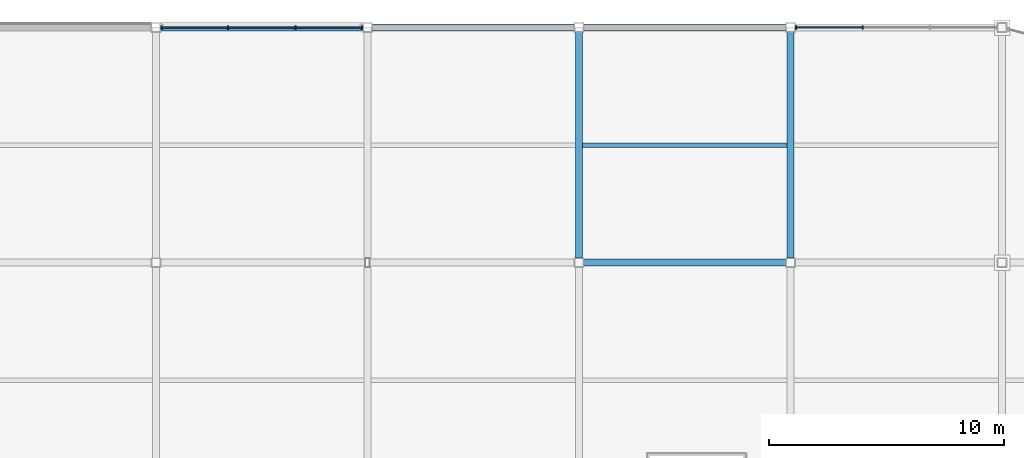
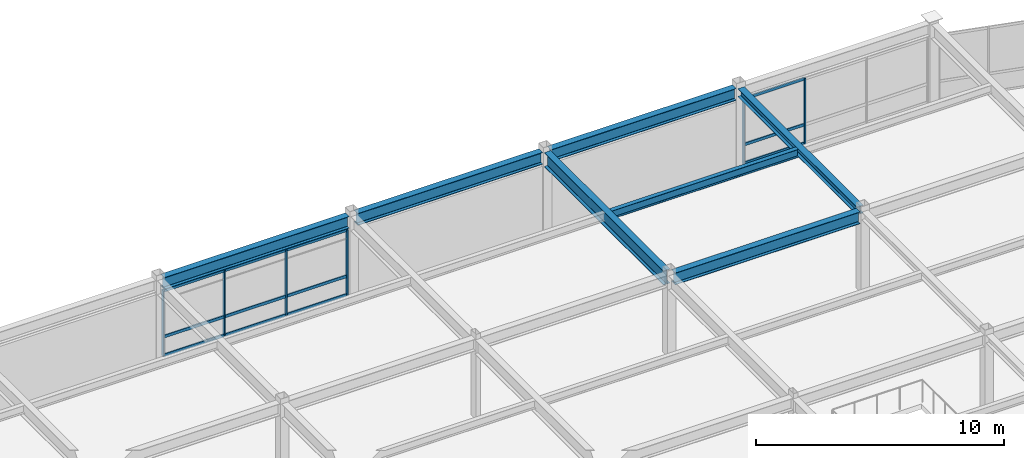
# One storey, part 31 of 70: 18 members, 7 beams, 2 elements without a shape of their own.
"""IFC4 building model written with IfcOpenShell, lengths in metres."""

from ifc_helpers import new_model, si_unit, direction, frame, origin, origin_2d, place, context, subcontext, project, spatial, rectangle, i_section, extrude, material, material_profile, profile_set, type_object, element, aggregate, save


model = new_model("IFC4")

# Units and contexts
model_context = context("Model", 3, precision=1e-05, world=origin(), true_north=direction((0.0, 1.0)))
body_context = subcontext(model_context, "Body", "Model", "MODEL_VIEW")
ifc_project = project(units=[si_unit("LENGTHUNIT", "METRE"), si_unit("AREAUNIT", "SQUARE_METRE"), si_unit("VOLUMEUNIT", "CUBIC_METRE"), si_unit("PLANEANGLEUNIT", "RADIAN"), si_unit("MASSUNIT", "GRAM", prefix="KILO")], contexts=[model_context])

# Site, building, storey
site_placement = place(None, origin())
site = spatial("IfcSite", under=ifc_project, at=site_placement, CompositionType="ELEMENT")
building_placement = place(site_placement, origin())
building = spatial("IfcBuilding", under=site, at=building_placement, Name="Suzunagisa Mobility Hub", CompositionType="ELEMENT")
storey_placement = place(building_placement, frame((0.0, 0.0, 13.5)))
storey = spatial("IfcBuildingStorey", under=building, at=storey_placement, Name="L03", CompositionType="ELEMENT", Elevation=13.5)

# Curtain wall, members
ifc_material_1 = material(Name="Thermally Broken Anodized Aluminum and Low-E Glazing", Category="aluminium")
curtain_wall_type = type_object("IfcCurtainWallType", Name="Unitised Curtain Wall CW-18 8500x3200", PredefinedType="USERDEFINED", material=ifc_material_1)
curtain_wall_1_placement = place(storey_placement, origin())
curtain_wall_1 = element("IfcCurtainWall", 1, at=curtain_wall_1_placement, inside=storey, type_object=curtain_wall_type, Name="L03 Unitised Curtain Wall CW-128", ObjectType="UNITISED CURTAIN WALL", PredefinedType="USERDEFINED")
ifc_material_2 = material(Name="Anodized Aluminum 6063-T6", Category="aluminium")
ifc_material_profile_1 = material_profile(ifc_material_2, rectangle(XDim=0.06494140625, YDim=0.139892578125, at=origin_2d()), Name="TRAN-65x140")
ifc_profile_set_1 = profile_set([ifc_material_profile_1], Name="Anodized Aluminum 6063-T6")
member_type_1 = type_object("IfcMemberType", Name="Curtain Wall Framing CM-01 TRAN-65x140", PredefinedType="USERDEFINED", material=ifc_profile_set_1)
member_1_placement = place(storey_placement, frame((111.038818359375, 118.0, 0.032470703125), z_axis=(-1.0, 0.0, 0.0), x_axis=(0.0, -1.0, 0.0)))
member_1 = element("IfcMember", 2, at=member_1_placement, type_object=member_type_1, Name="Curtain Wall Transom 128-T3.1", ObjectType="TRANSOM", PredefinedType="USERDEFINED", context=body_context, shape_type="SweptSolid", body=[
    extrude(rectangle(XDim=0.06494140625, YDim=0.139892578125, at=origin_2d()), origin(), (0.0, 0.0, 1.0), 2.78076171875),
])
member_2_placement = place(storey_placement, frame((111.038818359375, 118.0, 0.949951171875), z_axis=(-1.0, 0.0, 0.0), x_axis=(0.0, -1.0, 0.0)))
member_2 = element("IfcMember", 3, at=member_2_placement, type_object=member_type_1, Name="Curtain Wall Transom 128-T3.2", ObjectType="TRANSOM", PredefinedType="USERDEFINED", context=body_context, shape_type="SweptSolid", body=[
    extrude(rectangle(XDim=0.06494140625, YDim=0.139892578125, at=origin_2d()), origin(), (0.0, 0.0, 1.0), 2.78076171875),
])
member_3_placement = place(storey_placement, frame((111.038818359375, 118.0, 3.20751953125), z_axis=(-1.0, 0.0, 0.0), x_axis=(0.0, -1.0, 0.0)))
member_3 = element("IfcMember", 4, at=member_3_placement, type_object=member_type_1, Name="Curtain Wall Transom 128-T3.3", ObjectType="TRANSOM", PredefinedType="USERDEFINED", context=body_context, shape_type="SweptSolid", body=[
    extrude(rectangle(XDim=0.06494140625, YDim=0.139892578125, at=origin_2d()), origin(), (0.0, 0.0, 1.0), 2.78076171875),
])

curtain_wall_2_placement = place(storey_placement, origin())
curtain_wall_2 = element("IfcCurtainWall", 5, at=curtain_wall_2_placement, inside=storey, type_object=curtain_wall_type, Name="L03 Unitised Curtain Wall CW-129", ObjectType="UNITISED CURTAIN WALL", PredefinedType="USERDEFINED")
member_4_placement = place(storey_placement, frame((89.741943359375, 118.0, 0.032470703125), z_axis=(-1.0, 0.0, 0.0), x_axis=(0.0, -1.0, 0.0)))
member_4 = element("IfcMember", 6, at=member_4_placement, type_object=member_type_1, Name="Curtain Wall Transom 129-T1.1", ObjectType="TRANSOM", PredefinedType="USERDEFINED", context=body_context, shape_type="SweptSolid", body=[
    extrude(rectangle(XDim=0.06494140625, YDim=0.139892578125, at=origin_2d()), origin(), (0.0, 0.0, 1.0), 2.78076171875),
])
member_5_placement = place(storey_placement, frame((89.741943359375, 118.0, 0.949951171875), z_axis=(-1.0, 0.0, 0.0), x_axis=(0.0, -1.0, 0.0)))
member_5 = element("IfcMember", 7, at=member_5_placement, type_object=member_type_1, Name="Curtain Wall Transom 129-T1.2", ObjectType="TRANSOM", PredefinedType="USERDEFINED", context=body_context, shape_type="SweptSolid", body=[
    extrude(rectangle(XDim=0.06494140625, YDim=0.139892578125, at=origin_2d()), origin(), (0.0, 0.0, 1.0), 2.78076171875),
])
member_6_placement = place(storey_placement, frame((89.741943359375, 118.0, 3.217529296875), z_axis=(-1.0, 0.0, 0.0), x_axis=(0.0, -1.0, 0.0)))
member_6 = element("IfcMember", 8, at=member_6_placement, type_object=member_type_1, Name="Curtain Wall Transom 129-T1.3", ObjectType="TRANSOM", PredefinedType="USERDEFINED", context=body_context, shape_type="SweptSolid", body=[
    extrude(rectangle(XDim=0.06494140625, YDim=0.139892578125, at=origin_2d()), origin(), (0.0, 0.0, 1.0), 2.78076171875),
])
member_7_placement = place(storey_placement, frame((86.9052734375, 118.0, 0.032470703125), z_axis=(-1.0, 0.0, 0.0), x_axis=(0.0, -1.0, 0.0)))
member_7 = element("IfcMember", 9, at=member_7_placement, type_object=member_type_1, Name="Curtain Wall Transom 129-T2.1", ObjectType="TRANSOM", PredefinedType="USERDEFINED", context=body_context, shape_type="SweptSolid", body=[
    extrude(rectangle(XDim=0.06494140625, YDim=0.139892578125, at=origin_2d()), origin(), (0.0, 0.0, 1.0), 2.810546875),
])
member_8_placement = place(storey_placement, frame((86.9052734375, 118.0, 0.949951171875), z_axis=(-1.0, 0.0, 0.0), x_axis=(0.0, -1.0, 0.0)))
member_8 = element("IfcMember", 10, at=member_8_placement, type_object=member_type_1, Name="Curtain Wall Transom 129-T2.2", ObjectType="TRANSOM", PredefinedType="USERDEFINED", context=body_context, shape_type="SweptSolid", body=[
    extrude(rectangle(XDim=0.06494140625, YDim=0.139892578125, at=origin_2d()), origin(), (0.0, 0.0, 1.0), 2.810546875),
])
member_9_placement = place(storey_placement, frame((86.9052734375, 118.0, 3.217529296875), z_axis=(-1.0, 0.0, 0.0), x_axis=(0.0, -1.0, 0.0)))
member_9 = element("IfcMember", 11, at=member_9_placement, type_object=member_type_1, Name="Curtain Wall Transom 129-T2.3", ObjectType="TRANSOM", PredefinedType="USERDEFINED", context=body_context, shape_type="SweptSolid", body=[
    extrude(rectangle(XDim=0.06494140625, YDim=0.139892578125, at=origin_2d()), origin(), (0.0, 0.0, 1.0), 2.810546875),
])
member_10_placement = place(storey_placement, frame((84.038818359375, 118.0, 0.032470703125), z_axis=(-1.0, 0.0, 0.0), x_axis=(0.0, -1.0, 0.0)))
member_10 = element("IfcMember", 12, at=member_10_placement, type_object=member_type_1, Name="Curtain Wall Transom 129-T3.1", ObjectType="TRANSOM", PredefinedType="USERDEFINED", context=body_context, shape_type="SweptSolid", body=[
    extrude(rectangle(XDim=0.06494140625, YDim=0.139892578125, at=origin_2d()), origin(), (0.0, 0.0, 1.0), 2.78076171875),
])
member_11_placement = place(storey_placement, frame((84.038818359375, 118.0, 0.949951171875), z_axis=(-1.0, 0.0, 0.0), x_axis=(0.0, -1.0, 0.0)))
member_11 = element("IfcMember", 13, at=member_11_placement, type_object=member_type_1, Name="Curtain Wall Transom 129-T3.2", ObjectType="TRANSOM", PredefinedType="USERDEFINED", context=body_context, shape_type="SweptSolid", body=[
    extrude(rectangle(XDim=0.06494140625, YDim=0.139892578125, at=origin_2d()), origin(), (0.0, 0.0, 1.0), 2.78076171875),
])
member_12_placement = place(storey_placement, frame((84.038818359375, 118.0, 3.217529296875), z_axis=(-1.0, 0.0, 0.0), x_axis=(0.0, -1.0, 0.0)))
member_12 = element("IfcMember", 14, at=member_12_placement, type_object=member_type_1, Name="Curtain Wall Transom 129-T3.3", ObjectType="TRANSOM", PredefinedType="USERDEFINED", context=body_context, shape_type="SweptSolid", body=[
    extrude(rectangle(XDim=0.06494140625, YDim=0.139892578125, at=origin_2d()), origin(), (0.0, 0.0, 1.0), 2.78076171875),
])

# Member
ifc_material_profile_2 = material_profile(ifc_material_2, rectangle(XDim=0.06005859375, YDim=0.14990234375, at=origin_2d()), Name="MULL-60x150")
ifc_profile_set_2 = profile_set([ifc_material_profile_2], Name="Anodized Aluminum 6063-T6")
member_type_2 = type_object("IfcMemberType", Name="Curtain Wall Framing CM-03 MULL-60x150", PredefinedType="MULLION", material=ifc_profile_set_2)
member_13_placement = place(storey_placement, frame((111.066650390625, 118.0, 0.0), z_axis=(0.0, 0.0, 1.0), x_axis=(-1.0, 0.0, 0.0)))
member_13 = element("IfcMember", 15, at=member_13_placement, type_object=member_type_2, Name="Curtain Wall Mullion 128-M3", PredefinedType="MULLION", context=body_context, shape_type="SweptSolid", body=[
    extrude(rectangle(XDim=0.06005859375, YDim=0.14990234375, at=origin_2d()), origin(), (0.0, 0.0, 1.0), 3.239990234375),
])

member_14_placement = place(storey_placement, frame((108.22998046875, 118.0, 0.0), z_axis=(0.0, 0.0, 1.0), x_axis=(-1.0, 0.0, 0.0)))
member_14 = element("IfcMember", 16, at=member_14_placement, type_object=member_type_2, Name="Curtain Wall Mullion 128-M4", PredefinedType="MULLION", context=body_context, shape_type="SweptSolid", body=[
    extrude(rectangle(XDim=0.06005859375, YDim=0.14990234375, at=origin_2d()), origin(), (0.0, 0.0, 1.0), 3.239990234375),
])

aggregate(curtain_wall_1, [member_13, member_14, member_1, member_2, member_3])

member_15_placement = place(storey_placement, frame((89.77001953125, 118.0, 0.0), z_axis=(0.0, 0.0, 1.0), x_axis=(-1.0, 0.0, 0.0)))
member_15 = element("IfcMember", 17, at=member_15_placement, type_object=member_type_2, Name="Curtain Wall Mullion 129-M1", PredefinedType="MULLION", context=body_context, shape_type="SweptSolid", body=[
    extrude(rectangle(XDim=0.06005859375, YDim=0.14990234375, at=origin_2d()), origin(), (0.0, 0.0, 1.0), 3.25),
])

member_16_placement = place(storey_placement, frame((86.933349609375, 118.0, 0.0), z_axis=(0.0, 0.0, 1.0), x_axis=(-1.0, 0.0, 0.0)))
member_16 = element("IfcMember", 18, at=member_16_placement, type_object=member_type_2, Name="Curtain Wall Mullion 129-M2", PredefinedType="MULLION", context=body_context, shape_type="SweptSolid", body=[
    extrude(rectangle(XDim=0.06005859375, YDim=0.14990234375, at=origin_2d()), origin(), (0.0, 0.0, 1.0), 3.25),
])

member_17_placement = place(storey_placement, frame((84.066650390625, 118.0, 0.0), z_axis=(0.0, 0.0, 1.0), x_axis=(-1.0, 0.0, 0.0)))
member_17 = element("IfcMember", 19, at=member_17_placement, type_object=member_type_2, Name="Curtain Wall Mullion 129-M3", PredefinedType="MULLION", context=body_context, shape_type="SweptSolid", body=[
    extrude(rectangle(XDim=0.06005859375, YDim=0.14990234375, at=origin_2d()), origin(), (0.0, 0.0, 1.0), 3.25),
])

member_18_placement = place(storey_placement, frame((81.22998046875, 118.0, 0.0), z_axis=(0.0, 0.0, 1.0), x_axis=(-1.0, 0.0, 0.0)))
member_18 = element("IfcMember", 20, at=member_18_placement, type_object=member_type_2, Name="Curtain Wall Mullion 129-M4", PredefinedType="MULLION", context=body_context, shape_type="SweptSolid", body=[
    extrude(rectangle(XDim=0.06005859375, YDim=0.14990234375, at=origin_2d()), origin(), (0.0, 0.0, 1.0), 3.25),
])

aggregate(curtain_wall_2, [member_15, member_16, member_17, member_18, member_4, member_5, member_6, member_7, member_8, member_9, member_10, member_11, member_12])

# Beams
ifc_material_3 = material(Name="Steel SN490B", Category="steel")
ifc_material_profile_3 = material_profile(ifc_material_3, i_section(OverallWidth=0.300048828125, OverallDepth=0.699951171875, WebThickness=0.012939453125, FlangeThickness=0.02392578125, FilletRadius=0.01806640625, at=origin_2d()), Name="H-700x300x13x24")
ifc_profile_set_3 = profile_set([ifc_material_profile_3], Name="Steel SN490B")
beam_type_1 = type_object("IfcBeamType", Name="Steel Beam BM-11 H-700x300x13x24", PredefinedType="BEAM", material=ifc_profile_set_3)
beam_1_placement = place(storey_placement, frame((99.0, 108.196044921875, 3.60009765625), z_axis=(0.0, 1.0, 0.0), x_axis=(-1.0, 0.0, 0.0)))
element("IfcBeam", 21, at=beam_1_placement, inside=storey, type_object=beam_type_1, Name="L03 Primary Girder GY-1090", PredefinedType="BEAM", context=body_context, shape_type="SweptSolid", body=[
    extrude(i_section(OverallWidth=0.300048828125, OverallDepth=0.699951171875, WebThickness=0.012939453125, FlangeThickness=0.02392578125, FilletRadius=0.01806640625, at=origin_2d()), origin(), (0.0, 0.0, 1.0), 9.60791015625),
])
ifc_material_profile_4 = material_profile(ifc_material_3, i_section(OverallWidth=0.300048828125, OverallDepth=0.389892578125, WebThickness=0.010009765625, FlangeThickness=0.01611328125, FilletRadius=0.012939453125, at=origin_2d()), Name="H-390x300x10x16")
ifc_profile_set_4 = profile_set([ifc_material_profile_4], Name="Steel SN490B")
beam_type_2 = type_object("IfcBeamType", Name="Steel Beam BM-13 H-390x300x10x16", PredefinedType="SPANDREL", material=ifc_profile_set_4)
beam_2_placement = place(storey_placement, frame((108.0, 108.196044921875, 3.7451171875), z_axis=(0.0, 1.0, 0.0), x_axis=(-1.0, 0.0, 0.0)))
element("IfcBeam", 22, at=beam_2_placement, inside=storey, type_object=beam_type_2, Name="L03 Primary Girder GY-1094", PredefinedType="SPANDREL", context=body_context, shape_type="SweptSolid", body=[
    extrude(i_section(OverallWidth=0.300048828125, OverallDepth=0.389892578125, WebThickness=0.010009765625, FlangeThickness=0.01611328125, FilletRadius=0.012939453125, at=origin_2d()), origin(), (0.0, 0.0, 1.0), 9.60791015625),
])
ifc_material_4 = material(Name="Steel SN400B", Category="steel")
ifc_material_profile_5 = material_profile(ifc_material_4, i_section(OverallWidth=0.199951171875, OverallDepth=0.39990234375, WebThickness=0.008056640625, FlangeThickness=0.012939453125, FilletRadius=0.012939453125, at=origin_2d()), Name="H-400x200x8x13")
ifc_profile_set_5 = profile_set([ifc_material_profile_5], Name="Steel SN400B")
beam_type_3 = type_object("IfcBeamType", Name="Steel Beam BM-14 H-400x200x8x13", PredefinedType="JOIST", material=ifc_profile_set_5)
beam_3_placement = place(storey_placement, frame((99.14990234375, 113.0, 3.739990234375), z_axis=(1.0, 0.0, 0.0), x_axis=(0.0, 1.0, 0.0)))
element("IfcBeam", 23, at=beam_3_placement, inside=storey, type_object=beam_type_3, Name="L03 Composite Floor Joist J-1118", PredefinedType="JOIST", context=body_context, shape_type="SweptSolid", body=[
    extrude(i_section(OverallWidth=0.199951171875, OverallDepth=0.39990234375, WebThickness=0.008056640625, FlangeThickness=0.012939453125, FilletRadius=0.012939453125, at=origin_2d()), origin(), (0.0, 0.0, 1.0), 8.7001953125),
])
ifc_material_profile_6 = material_profile(ifc_material_3, i_section(OverallWidth=0.300048828125, OverallDepth=0.587890625, WebThickness=0.011962890625, FlangeThickness=0.02001953125, FilletRadius=0.012939453125, at=origin_2d()), Name="H-588x300x12x20")
ifc_profile_set_6 = profile_set([ifc_material_profile_6], Name="Steel SN490B")
beam_type_4 = type_object("IfcBeamType", Name="Steel Beam BM-16 H-588x300x12x20", PredefinedType="BEAM", material=ifc_profile_set_6)
for number, where, z_axis, x_axis, name in (
    (24, (99.196044921875, 108.0, 3.64599609375), (1.0, 0.0, 0.0), (0.0, 1.0, 0.0), "L03 Primary Girder GX-1055"),
    (25, (81.196044921875, 118.0, 3.656005859375), (1.0, 0.0, 0.0), (0.0, 1.0, 0.0), "L03 Primary Girder GX-1060"),
    (26, (90.196044921875, 118.0, 3.656005859375), (1.0, 0.0, 0.0), (0.0, 1.0, 0.0), "L03 Primary Girder GX-1061"),
    (27, (99.196044921875, 118.0, 3.64599609375), (1.0, 0.0, 0.0), (0.0, 1.0, 0.0), "L03 Primary Girder GX-1062"),
):
    element("IfcBeam", number, at=place(storey_placement, frame(where, z_axis=z_axis, x_axis=x_axis)), inside=storey, type_object=beam_type_4, Name=name, PredefinedType="BEAM", context=body_context, shape_type="SweptSolid", body=[
        extrude(i_section(OverallWidth=0.300048828125, OverallDepth=0.587890625, WebThickness=0.011962890625, FlangeThickness=0.02001953125, FilletRadius=0.012939453125, at=origin_2d()), origin(), (0.0, 0.0, 1.0), 8.60791015625),
    ])

save(model, "model.ifc")
